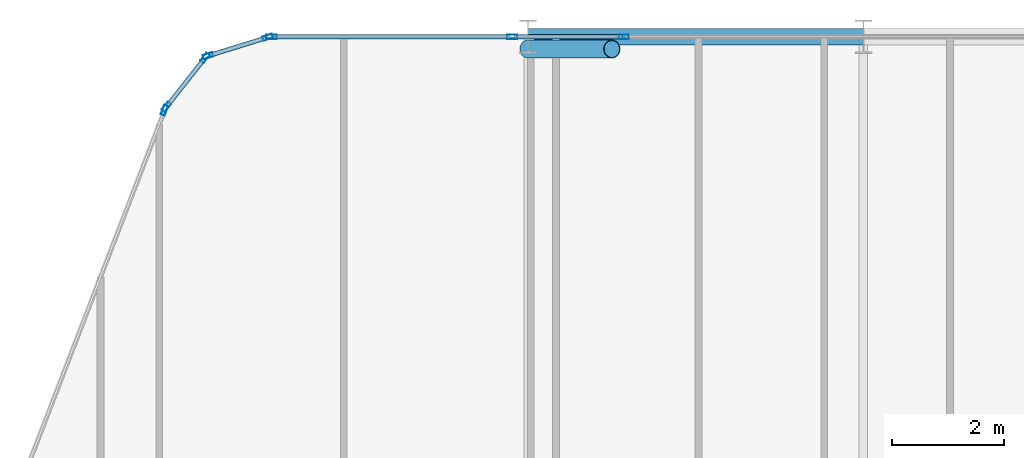
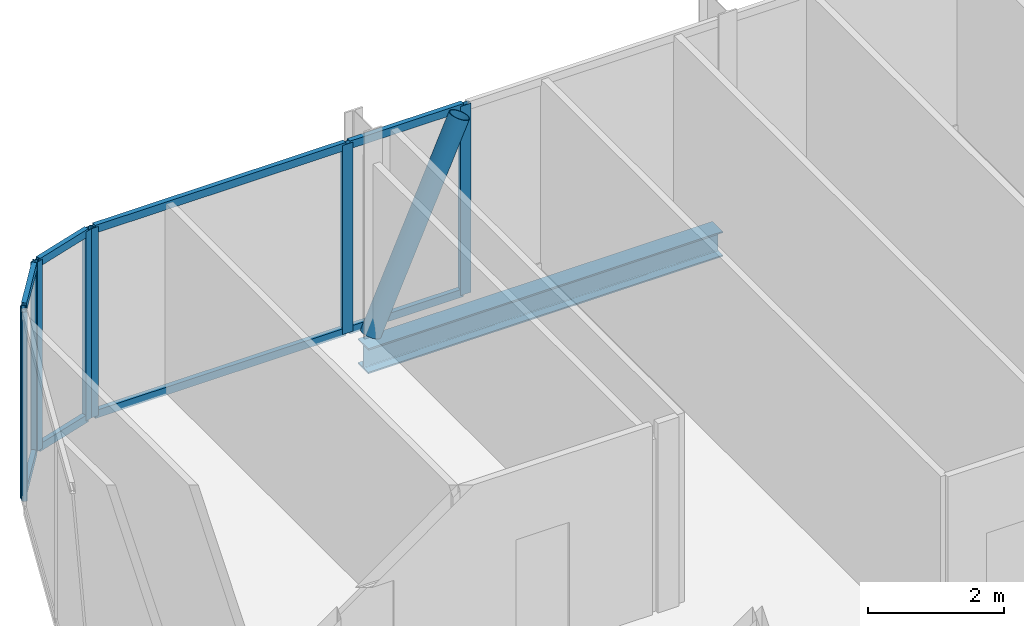
# One storey, part 16 of 30: 17 members, 1 beam, 5 elements without a shape of their own.
"""IFC4 building model written with IfcOpenShell, lengths in metres."""

from ifc_helpers import new_model, si_unit, direction, frame, origin, origin_2d, place, context, subcontext, project, spatial, hollow_rectangle, hollow_circle, i_section, extrude, material, layer, layer_set, material_profile, profile_set, type_object, element, aggregate, save


model = new_model("IFC4")

# Units and contexts
model_context = context("Model", 3, precision=1e-05, world=origin(), true_north=direction((0.0, 1.0)))
body_context = subcontext(model_context, "Body", "Model", "MODEL_VIEW")
ifc_project = project(units=[si_unit("LENGTHUNIT", "METRE"), si_unit("AREAUNIT", "SQUARE_METRE"), si_unit("VOLUMEUNIT", "CUBIC_METRE"), si_unit("PLANEANGLEUNIT", "RADIAN"), si_unit("MASSUNIT", "GRAM", prefix="KILO")], contexts=[model_context])

# Site, building, storey
site_placement = place(None, origin())
site = spatial("IfcSite", under=ifc_project, at=site_placement, CompositionType="ELEMENT")
building_placement = place(site_placement, origin())
building = spatial("IfcBuilding", under=site, at=building_placement, Name="Keshet Zoharim Tower", CompositionType="ELEMENT")
storey_placement = place(building_placement, frame((0.0, 0.0, 113.10009765625)))
storey = spatial("IfcBuildingStorey", under=building, at=storey_placement, Name="L27", CompositionType="ELEMENT", Elevation=113.10009765625)

# Beam
ifc_material_1 = material(Name="Steel S355", Category="steel")
ifc_material_profile_1 = material_profile(ifc_material_1, i_section(OverallWidth=0.300048828125, OverallDepth=0.449951171875, WebThickness=0.013916015625, FlangeThickness=0.02587890625, FilletRadius=0.027099609375, at=origin_2d()), Name="HEB450")
ifc_profile_set_1 = profile_set([ifc_material_profile_1], Name="Steel S355")
beam_type = type_object("IfcBeamType", Name="BM-WEB-HB450", PredefinedType="BEAM", material=ifc_profile_set_1)
beam_placement = place(storey_placement, frame((21.0, 53.89990234375, -0.5400390625), z_axis=(1.0, 0.0, 0.0), x_axis=(0.0, 1.0, 0.0)))
element("IfcBeam", 1, at=beam_placement, inside=storey, type_object=beam_type, Name="L27 Primary Girder X-019", PredefinedType="BEAM", context=body_context, shape_type="SweptSolid", body=[
    extrude(i_section(OverallWidth=0.300048828125, OverallDepth=0.449951171875, WebThickness=0.013916015625, FlangeThickness=0.02587890625, FilletRadius=0.027099609375, at=origin_2d()), origin(), (0.0, 0.0, 1.0), 6.0),
])

# Curtain wall, member
ifc_material_2 = material(Name="Aluminium 6063-T6", Category="aluminium")
ifc_layer = layer(ifc_material_2, 0.159912109375)
ifc_layer_set = layer_set([ifc_layer], Name="Aluminium 6063-T6")
curtain_wall_type = type_object("IfcCurtainWallType", Name="CW-SYS-03", PredefinedType="NOTDEFINED", material=ifc_layer_set)
curtain_wall_1_placement = place(storey_placement, origin())
curtain_wall_1 = element("IfcCurtainWall", 2, at=curtain_wall_1_placement, inside=storey, type_object=curtain_wall_type, Name="L27 Unitised Curtain Wall 10", PredefinedType="NOTDEFINED")
ifc_material_profile_2 = material_profile(ifc_material_2, hollow_rectangle(XDim=0.080078125, YDim=0.179931640625, WallThickness=0.00439453125, at=origin_2d()), Name="MUL-80x180")
ifc_profile_set_2 = profile_set([ifc_material_profile_2], Name="Aluminium 6063-T6")
member_type_1 = type_object("IfcMemberType", Name="CWM-M18", PredefinedType="MULLION", material=ifc_profile_set_2)
member_1_placement = place(storey_placement, frame((14.494384765625, 52.58544921875, 0.0), z_axis=(0.0, 0.0, 1.0), x_axis=(-0.933341404361, 0.358990003907, 0.0)))
member_1 = element("IfcMember", 3, at=member_1_placement, type_object=member_type_1, Name="CW-03 mullion 4", PredefinedType="MULLION", context=body_context, shape_type="SweptSolid", body=[
    extrude(hollow_rectangle(XDim=0.080078125, YDim=0.179931640625, WallThickness=0.00439453125, at=origin_2d()), origin(), (0.0, 0.0, 1.0), 3.385009765625),
])
aggregate(curtain_wall_1, [member_1])

# Curtain wall, members
curtain_wall_2_placement = place(storey_placement, origin())
curtain_wall_2 = element("IfcCurtainWall", 4, at=curtain_wall_2_placement, inside=storey, type_object=curtain_wall_type, Name="L27 Unitised Curtain Wall 11", PredefinedType="NOTDEFINED")
member_2_placement = place(storey_placement, frame((14.528564453125, 52.6455078125, 0.0), z_axis=(0.0, 0.0, 1.0), x_axis=(-0.785292825205, 0.619124525989, 0.0)))
member_2 = element("IfcMember", 5, at=member_2_placement, type_object=member_type_1, Name="CW-03 mullion 1", PredefinedType="MULLION", context=body_context, shape_type="SweptSolid", body=[
    extrude(hollow_rectangle(XDim=0.080078125, YDim=0.179931640625, WallThickness=0.00439453125, at=origin_2d()), origin(), (0.0, 0.0, 1.0), 3.385009765625),
])
member_3_placement = place(storey_placement, frame((15.21923828125, 53.521484375, 0.0), z_axis=(0.0, 0.0, 1.0), x_axis=(-0.785292825205, 0.619124525989, 0.0)))
member_3 = element("IfcMember", 6, at=member_3_placement, type_object=member_type_1, Name="CW-03 mullion 2", PredefinedType="MULLION", context=body_context, shape_type="SweptSolid", body=[
    extrude(hollow_rectangle(XDim=0.080078125, YDim=0.179931640625, WallThickness=0.00439453125, at=origin_2d()), origin(), (0.0, 0.0, 1.0), 3.385009765625),
])

curtain_wall_3_placement = place(storey_placement, origin())
curtain_wall_3 = element("IfcCurtainWall", 7, at=curtain_wall_3_placement, inside=storey, type_object=curtain_wall_type, Name="L27 Unitised Curtain Wall 12", PredefinedType="NOTDEFINED")
member_4_placement = place(storey_placement, frame((15.2744140625, 53.559326171875, 0.0), z_axis=(0.0, 0.0, 1.0), x_axis=(-0.295921857984, 0.955212151288, 0.0)))
member_4 = element("IfcMember", 8, at=member_4_placement, type_object=member_type_1, Name="CW-03 mullion 1", PredefinedType="MULLION", context=body_context, shape_type="SweptSolid", body=[
    extrude(hollow_rectangle(XDim=0.080078125, YDim=0.179931640625, WallThickness=0.00439453125, at=origin_2d()), origin(), (0.0, 0.0, 1.0), 3.385009765625),
])
member_5_placement = place(storey_placement, frame((16.340576171875, 53.8896484375, 0.0), z_axis=(0.0, 0.0, 1.0), x_axis=(-0.295921857984, 0.955212151288, 0.0)))
member_5 = element("IfcMember", 9, at=member_5_placement, type_object=member_type_1, Name="CW-03 mullion 2", PredefinedType="MULLION", context=body_context, shape_type="SweptSolid", body=[
    extrude(hollow_rectangle(XDim=0.080078125, YDim=0.179931640625, WallThickness=0.00439453125, at=origin_2d()), origin(), (0.0, 0.0, 1.0), 3.385009765625),
])

curtain_wall_4_placement = place(storey_placement, origin())
curtain_wall_4 = element("IfcCurtainWall", 10, at=curtain_wall_4_placement, inside=storey, type_object=curtain_wall_type, Name="L27 Unitised Curtain Wall 13", PredefinedType="NOTDEFINED")
member_6_placement = place(storey_placement, frame((16.408935546875, 53.89990234375, 0.0), z_axis=(0.0, 0.0, 1.0), x_axis=(0.0, 1.0, 0.0)))
member_6 = element("IfcMember", 11, at=member_6_placement, type_object=member_type_1, Name="CW-03 mullion 1", PredefinedType="MULLION", context=body_context, shape_type="SweptSolid", body=[
    extrude(hollow_rectangle(XDim=0.080078125, YDim=0.179931640625, WallThickness=0.00439453125, at=origin_2d()), origin(), (0.0, 0.0, 1.0), 3.385009765625),
])
member_7_placement = place(storey_placement, frame((20.716796875, 53.89990234375, 0.0), z_axis=(0.0, 0.0, 1.0), x_axis=(0.0, 1.0, 0.0)))
member_7 = element("IfcMember", 12, at=member_7_placement, type_object=member_type_1, Name="CW-03 mullion 2", PredefinedType="MULLION", context=body_context, shape_type="SweptSolid", body=[
    extrude(hollow_rectangle(XDim=0.080078125, YDim=0.179931640625, WallThickness=0.00439453125, at=origin_2d()), origin(), (0.0, 0.0, 1.0), 3.385009765625),
])

# Curtain wall, member
curtain_wall_5_placement = place(storey_placement, origin())
curtain_wall_5 = element("IfcCurtainWall", 13, at=curtain_wall_5_placement, inside=storey, type_object=curtain_wall_type, Name="L27 Unitised Curtain Wall 13 Part 2", PredefinedType="NOTDEFINED")
member_8_placement = place(storey_placement, frame((22.713134765625, 53.89990234375, 0.0), z_axis=(0.0, 0.0, 1.0), x_axis=(0.0, 1.0, 0.0)))
member_8 = element("IfcMember", 14, at=member_8_placement, type_object=member_type_1, Name="CW-03 mullion 2", PredefinedType="MULLION", context=body_context, shape_type="SweptSolid", body=[
    extrude(hollow_rectangle(XDim=0.080078125, YDim=0.179931640625, WallThickness=0.00439453125, at=origin_2d()), origin(), (0.0, 0.0, 1.0), 3.385009765625),
])

# Member
ifc_material_profile_3 = material_profile(ifc_material_2, hollow_rectangle(XDim=0.080078125, YDim=0.139892578125, WallThickness=0.00390625, at=origin_2d()), Name="TRN-80x140")
ifc_profile_set_3 = profile_set([ifc_material_profile_3], Name="Aluminium 6063-T6")
member_type_2 = type_object("IfcMemberType", Name="CWT-T14", PredefinedType="USERDEFINED", material=ifc_profile_set_3)
member_9_placement = place(storey_placement, frame((14.55029296875, 52.6728515625, 0.034912109375), z_axis=(0.619099165969, 0.78531281837, 0.0), x_axis=(-0.78531281837, 0.619099165969, 0.0)))
member_9 = element("IfcMember", 15, at=member_9_placement, type_object=member_type_2, Name="CW-03 transom 1.1", ObjectType="TRANSOM", PredefinedType="USERDEFINED", context=body_context, shape_type="SweptSolid", body=[
    extrude(hollow_rectangle(XDim=0.080078125, YDim=0.139892578125, WallThickness=0.00390625, at=origin_2d()), origin(), (0.0, 0.0, 1.0), 1.0458984375),
])

member_10_placement = place(storey_placement, frame((14.55029296875, 52.6728515625, 3.349853515625), z_axis=(0.619099165969, 0.78531281837, 0.0), x_axis=(-0.78531281837, 0.619099165969, 0.0)))
member_10 = element("IfcMember", 16, at=member_10_placement, type_object=member_type_2, Name="CW-03 transom 1.2", ObjectType="TRANSOM", PredefinedType="USERDEFINED", context=body_context, shape_type="SweptSolid", body=[
    extrude(hollow_rectangle(XDim=0.080078125, YDim=0.139892578125, WallThickness=0.00390625, at=origin_2d()), origin(), (0.0, 0.0, 1.0), 1.0458984375),
])

aggregate(curtain_wall_2, [member_2, member_3, member_9, member_10])

member_11_placement = place(storey_placement, frame((15.307861328125, 53.56982421875, 0.034912109375), z_axis=(0.955212093062, 0.295922045933, 0.0), x_axis=(-0.295922045933, 0.955212093062, 0.0)))
member_11 = element("IfcMember", 17, at=member_11_placement, type_object=member_type_2, Name="CW-03 transom 1.1", ObjectType="TRANSOM", PredefinedType="USERDEFINED", context=body_context, shape_type="SweptSolid", body=[
    extrude(hollow_rectangle(XDim=0.080078125, YDim=0.139892578125, WallThickness=0.00390625, at=origin_2d()), origin(), (0.0, 0.0, 1.0), 1.046142578125),
])

member_12_placement = place(storey_placement, frame((15.307861328125, 53.56982421875, 3.349853515625), z_axis=(0.955212093062, 0.295922045933, 0.0), x_axis=(-0.295922045933, 0.955212093062, 0.0)))
member_12 = element("IfcMember", 18, at=member_12_placement, type_object=member_type_2, Name="CW-03 transom 1.2", ObjectType="TRANSOM", PredefinedType="USERDEFINED", context=body_context, shape_type="SweptSolid", body=[
    extrude(hollow_rectangle(XDim=0.080078125, YDim=0.139892578125, WallThickness=0.00390625, at=origin_2d()), origin(), (0.0, 0.0, 1.0), 1.046142578125),
])

aggregate(curtain_wall_3, [member_4, member_5, member_11, member_12])

member_13_placement = place(storey_placement, frame((16.444091796875, 53.89990234375, 0.034912109375), z_axis=(1.0, 0.0, 0.0), x_axis=(0.0, 1.0, 0.0)))
member_13 = element("IfcMember", 19, at=member_13_placement, type_object=member_type_2, Name="CW-03 transom 1.1", ObjectType="TRANSOM", PredefinedType="USERDEFINED", context=body_context, shape_type="SweptSolid", body=[
    extrude(hollow_rectangle(XDim=0.080078125, YDim=0.139892578125, WallThickness=0.00390625, at=origin_2d()), origin(), (0.0, 0.0, 1.0), 4.23779296875),
])

member_14_placement = place(storey_placement, frame((16.444091796875, 53.89990234375, 3.349853515625), z_axis=(1.0, 0.0, 0.0), x_axis=(0.0, 1.0, 0.0)))
member_14 = element("IfcMember", 20, at=member_14_placement, type_object=member_type_2, Name="CW-03 transom 1.2", ObjectType="TRANSOM", PredefinedType="USERDEFINED", context=body_context, shape_type="SweptSolid", body=[
    extrude(hollow_rectangle(XDim=0.080078125, YDim=0.139892578125, WallThickness=0.00390625, at=origin_2d()), origin(), (0.0, 0.0, 1.0), 4.23779296875),
])

aggregate(curtain_wall_4, [member_6, member_7, member_13, member_14])

member_15_placement = place(storey_placement, frame((20.751953125, 53.89990234375, 0.034912109375), z_axis=(1.0, 0.0, 0.0), x_axis=(0.0, 1.0, 0.0)))
member_15 = element("IfcMember", 21, at=member_15_placement, type_object=member_type_2, Name="CW-03 transom 1.1", ObjectType="TRANSOM", PredefinedType="USERDEFINED", context=body_context, shape_type="SweptSolid", body=[
    extrude(hollow_rectangle(XDim=0.080078125, YDim=0.139892578125, WallThickness=0.00390625, at=origin_2d()), origin(), (0.0, 0.0, 1.0), 1.926025390625),
])

member_16_placement = place(storey_placement, frame((20.751953125, 53.89990234375, 3.349853515625), z_axis=(1.0, 0.0, 0.0), x_axis=(0.0, 1.0, 0.0)))
member_16 = element("IfcMember", 22, at=member_16_placement, type_object=member_type_2, Name="CW-03 transom 1.2", ObjectType="TRANSOM", PredefinedType="USERDEFINED", context=body_context, shape_type="SweptSolid", body=[
    extrude(hollow_rectangle(XDim=0.080078125, YDim=0.139892578125, WallThickness=0.00390625, at=origin_2d()), origin(), (0.0, 0.0, 1.0), 1.926025390625),
])

aggregate(curtain_wall_5, [member_8, member_15, member_16])

ifc_material_profile_4 = material_profile(ifc_material_1, hollow_circle(Radius=0.161865234375, WallThickness=0.012451171875, at=origin_2d()), Name="CHS323x12.5")
ifc_profile_set_4 = profile_set([ifc_material_profile_4], Name="Steel S355")
member_type_3 = type_object("IfcMemberType", Name="MB-BR-C323", PredefinedType="BRACE", material=ifc_profile_set_4)
member_17_placement = place(storey_placement, frame((21.0, 53.679931640625, 0.0), z_axis=(0.405134846829, 0.0, 0.91425694194), x_axis=(0.0, 1.0, 0.0)))
element("IfcMember", 23, at=member_17_placement, inside=storey, type_object=member_type_3, Name="L27 Perimeter Tube Brace 02", PredefinedType="BRACE", context=body_context, shape_type="SweptSolid", body=[
    extrude(hollow_circle(Radius=0.161865234375, WallThickness=0.012451171875, at=origin_2d()), origin(), (0.0, 0.0, 1.0), 3.702392578125),
])

save(model, "model.ifc")
